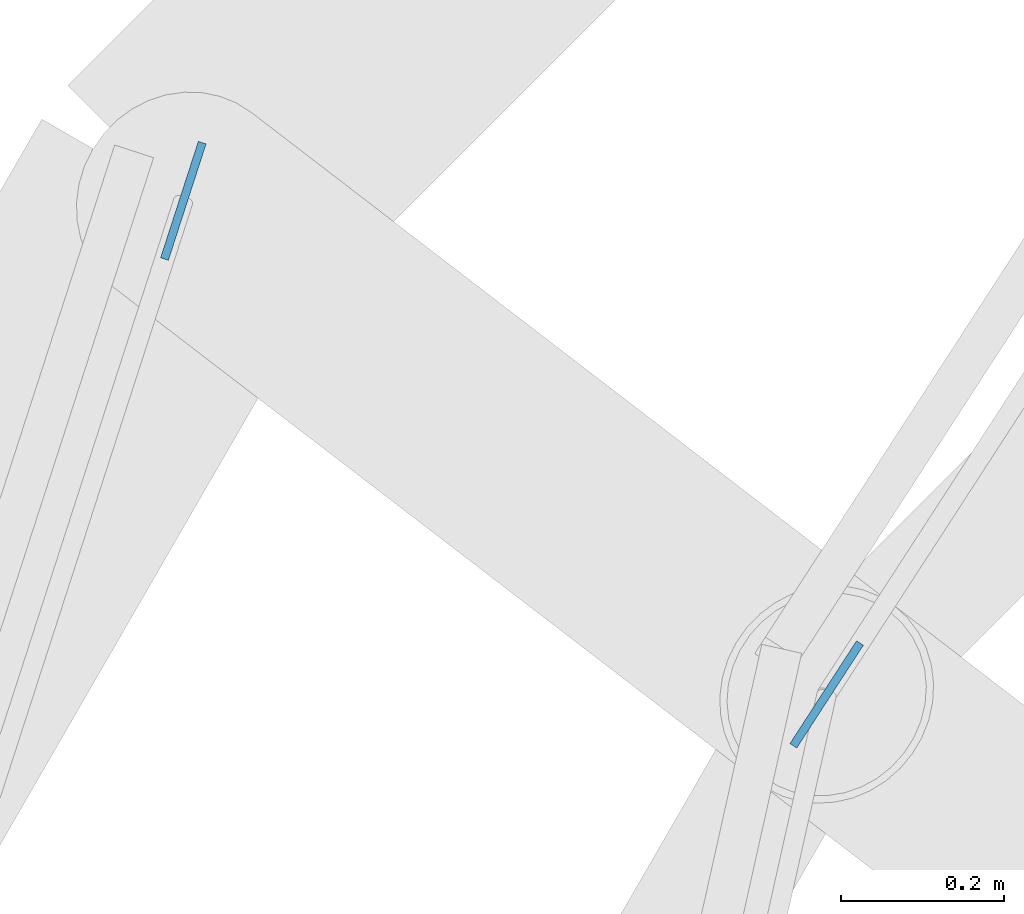
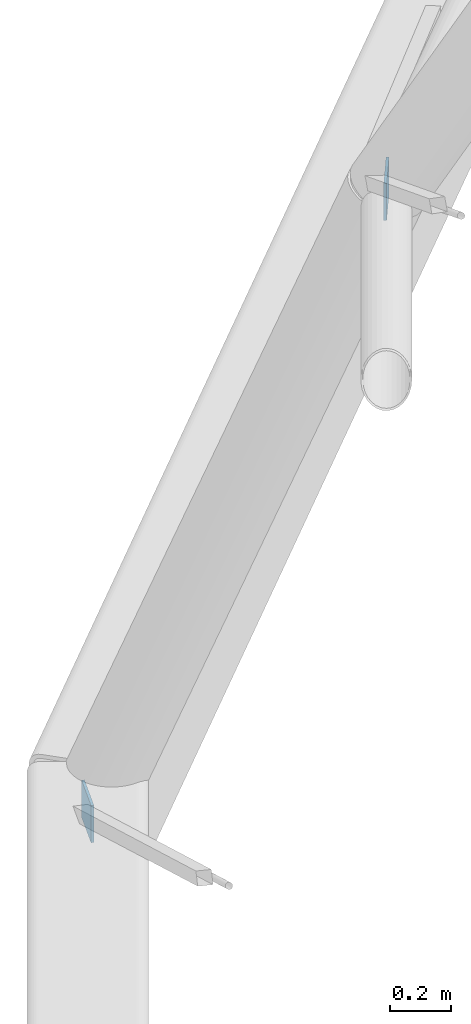
# One storey, part 36 of 59: 2 discrete accessories.
"""IFC4 building model written with IfcOpenShell, lengths in metres."""

from ifc_helpers import new_model, si_unit, direction, frame, origin, origin_2d, place, context, subcontext, project, spatial, rectangle, extrude, material, type_object, element, save


model = new_model("IFC4")

# Units and contexts
model_context = context("Model", 3, precision=1e-05, world=origin(), true_north=direction((0.0, 1.0)))
body_context = subcontext(model_context, "Body", "Model", "MODEL_VIEW")
ifc_project = project(units=[si_unit("LENGTHUNIT", "METRE"), si_unit("AREAUNIT", "SQUARE_METRE"), si_unit("VOLUMEUNIT", "CUBIC_METRE"), si_unit("PLANEANGLEUNIT", "RADIAN"), si_unit("MASSUNIT", "GRAM", prefix="KILO")], contexts=[model_context])

# Site, building, storey
site_placement = place(None, origin())
site = spatial("IfcSite", under=ifc_project, at=site_placement, CompositionType="ELEMENT")
building_placement = place(site_placement, origin())
building = spatial("IfcBuilding", under=site, at=building_placement, Name="Hortulan Conservatory and Botanical Research Centre", CompositionType="ELEMENT")
storey_placement = place(building_placement, frame((0.0, 0.0, 10.5)))
storey = spatial("IfcBuildingStorey", under=building, at=storey_placement, Name="L02", CompositionType="ELEMENT", Elevation=10.5)

# Discrete accessories
ifc_material = material(Name="Steel Grade 300 plate (AS/NZS 3678, 280 MPa minimum yield)", Category="steel")
discrete_accessory_type = type_object("IfcDiscreteAccessoryType", Name="End Plate 150x10", PredefinedType="BRACKET", material=ifc_material)
for number, where, z_axis, x_axis, name in (
    (1, (39.596435546875, 29.05224609375, -0.074951171875), (0.0, 0.0, 1.0), (0.308236734317, 0.951309684392, 0.0), "Dome rod end plate"),
    (2, (40.3837890625, 28.4482421875, 2.51904296875), (0.0, 0.0, 1.0), (0.543950886399, 0.839117055711, 0.0), "Dome rod end plate"),
):
    element("IfcDiscreteAccessory", number, at=place(storey_placement, frame(where, z_axis=z_axis, x_axis=x_axis)), inside=storey, type_object=discrete_accessory_type, Name=name, PredefinedType="BRACKET", context=body_context, shape_type="SweptSolid", body=[
        extrude(rectangle(XDim=0.14990234375, YDim=0.010009765625, at=origin_2d()), origin(), (0.0, 0.0, 1.0), 0.14990234375),
    ])

save(model, "model.ifc")
